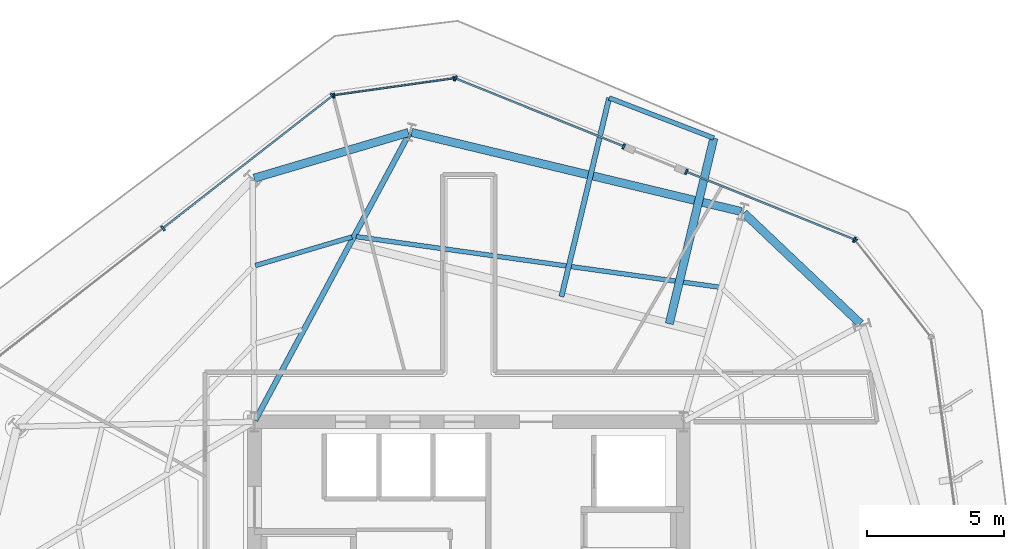
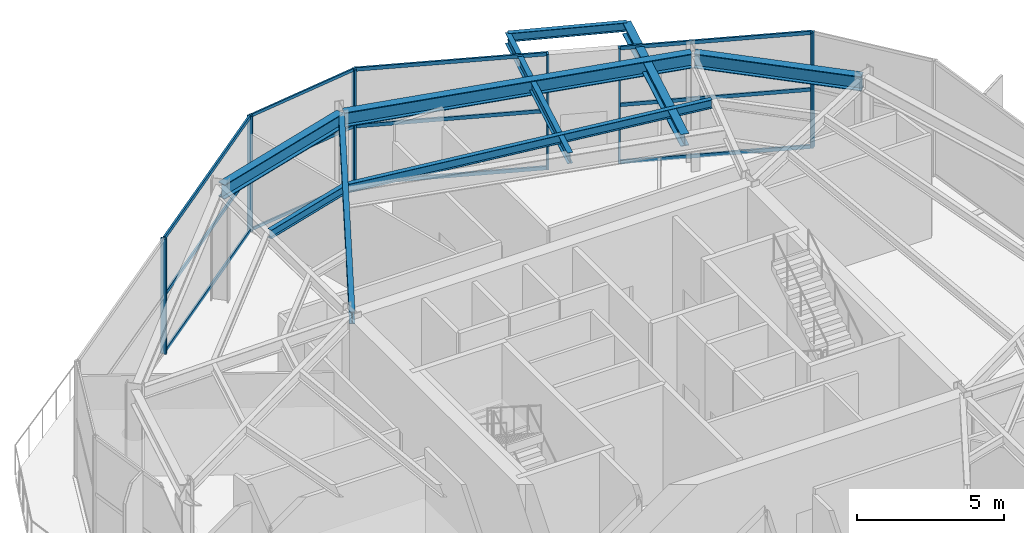
# One storey, part 7 of 14: 21 members, 9 beams, 5 elements without a shape of their own.
"""IFC4 building model written with IfcOpenShell, lengths in metres."""

import ifcopenshell
import ifcopenshell.guid

model = None  # the IFC model being written
_history = None  # IfcOwnerHistory: only IFC2X3 demands one
_inside = {}  # id of a spatial element -> (the spatial element, [elements in it])
_under = {}  # id of a project, library or spatial element -> (it, [spatial elements below it])
_declared = {}  # id of a project -> (the project, [libraries it declares])
_typed = {}  # id of a type object -> (the type object, [elements of that type])
_made_of = {}  # id of a material, layer set ... -> (it, [elements and type objects made of it])


def new_model(schema):
    """Start an empty IFC model of exactly this schema.

    Asked for "IFC4X3", IfcOpenShell would pick the latest addendum, in which some entities
    have other attributes; the version numbers below select the first issue.
    IFC2X3 requires an IfcOwnerHistory on every rooted entity: one is made here for all.
    """
    global model, _history
    if schema == "IFC4X3":
        model = ifcopenshell.file(schema_version=(4, 3, 0, 0))
    else:
        model = ifcopenshell.file(schema=schema)
    _inside.clear()
    _under.clear()
    _declared.clear()
    _typed.clear()
    _made_of.clear()
    _history = None
    if model.schema == "IFC2X3":
        org = make("IfcOrganization", Name="unknown")
        user = make(
            "IfcPersonAndOrganization",
            ThePerson=make("IfcPerson", FamilyName="unknown"),
            TheOrganization=org,
        )
        app = make(
            "IfcApplication",
            ApplicationDeveloper=org,
            Version="unknown",
            ApplicationFullName="unknown",
            ApplicationIdentifier="unknown",
        )
        _history = make(
            "IfcOwnerHistory",
            OwningUser=user,
            OwningApplication=app,
            ChangeAction="ADDED",
            CreationDate=0,
        )
    return model


def make(cls, **values):
    """One entity of the class cls with the attributes given. An attribute that is None is left unset."""
    return model.create_entity(
        cls, **{name: value for name, value in values.items() if value is not None}
    )


def rooted(cls, **values):
    """An entity with a GlobalId (a new one), such as an element, a storey or a relation."""
    return make(cls, GlobalId=ifcopenshell.guid.new(), OwnerHistory=_history, **values)


def si_unit(unit_type, name, prefix=None):
    """IfcSIUnit, for example si_unit("LENGTHUNIT", "METRE", prefix="MILLI")."""
    return make("IfcSIUnit", UnitType=unit_type, Prefix=prefix, Name=name)


def assignment(units):
    """IfcUnitAssignment: the units of a project."""
    return None if units is None else make("IfcUnitAssignment", Units=units)


def point(xyz):
    """IfcCartesianPoint."""
    return None if xyz is None else make("IfcCartesianPoint", Coordinates=xyz)


def direction(xyz):
    """IfcDirection."""
    return None if xyz is None else make("IfcDirection", DirectionRatios=xyz)


def frame(location, z_axis=None, x_axis=None):
    """IfcAxis2Placement3D, a coordinate frame: its origin and axes. An axis left out is left unset."""
    return make(
        "IfcAxis2Placement3D",
        Location=point(location),
        Axis=direction(z_axis),
        RefDirection=direction(x_axis),
    )


def frame_2d(location, x_axis=None):
    """IfcAxis2Placement2D, a coordinate frame in the plane: its origin and x axis."""
    return make(
        "IfcAxis2Placement2D", Location=point(location), RefDirection=direction(x_axis)
    )


def origin():
    """The frame at (0, 0, 0) with its axes left unset."""
    return frame((0.0, 0.0, 0.0))


def origin_2d():
    """The frame at (0, 0) in the plane with its x axis left unset."""
    return frame_2d((0.0, 0.0))


def place(relative_to, where):
    """IfcLocalPlacement: puts the frame where relative to a parent placement (None: the world)."""
    return make(
        "IfcLocalPlacement", PlacementRelTo=relative_to, RelativePlacement=where
    )


def context(
    kind, dimensions, precision=None, world=None, true_north=None, identifier=None
):
    """IfcGeometricRepresentationContext, for example the 3D "Model" context."""
    return make(
        "IfcGeometricRepresentationContext",
        ContextIdentifier=identifier,
        ContextType=kind,
        CoordinateSpaceDimension=dimensions,
        Precision=precision,
        WorldCoordinateSystem=world,
        TrueNorth=true_north,
    )


def subcontext(parent, identifier, kind, view, scale=None):
    """IfcGeometricRepresentationSubContext, for example "Body" below "Model"."""
    return make(
        "IfcGeometricRepresentationSubContext",
        ContextIdentifier=identifier,
        ContextType=kind,
        ParentContext=parent,
        TargetScale=scale,
        TargetView=view,
    )


def project(units=None, contexts=None):
    """IfcProject with its units and contexts."""
    return rooted(
        "IfcProject",
        Name="project",
        RepresentationContexts=contexts,
        UnitsInContext=assignment(units),
    )


def spatial(cls, under=None, at=None, **own):
    """A site, building, storey or space (cls), placed at a placement, below another one or the project."""
    s = rooted(cls, ObjectPlacement=at, **own)
    if under is not None:
        _under.setdefault(under.id(), (under, []))[1].append(s)
    return s


def profile(cls, at=None, kind="AREA", **sizes):
    """A parametric profile (cls). Its sizes go by their IFC names, for example OverallWidth=200.0."""
    return make(cls, ProfileType=kind, Position=at, **sizes)


def rectangle(**sizes):
    """IfcRectangleProfileDef."""
    return profile("IfcRectangleProfileDef", **sizes)


def i_section(**sizes):
    """IfcIShapeProfileDef."""
    return profile("IfcIShapeProfileDef", **sizes)


def extrude(swept, where, along, depth):
    """IfcExtrudedAreaSolid: the profile swept, set in the frame where, extruded along a direction by depth."""
    return make(
        "IfcExtrudedAreaSolid",
        SweptArea=swept,
        Position=where,
        ExtrudedDirection=direction(along),
        Depth=depth,
    )


def shape(context_of_items, identifier, shape_type, items):
    """IfcShapeRepresentation: the items that make up one representation, for example the "Body"."""
    return make(
        "IfcShapeRepresentation",
        ContextOfItems=context_of_items,
        RepresentationIdentifier=identifier,
        RepresentationType=shape_type,
        Items=items,
    )


def material(Name=None, Category=None):
    """IfcMaterial."""
    return make("IfcMaterial", Name=Name, Category=Category)


def layer(
    of_material, thickness, ventilated=None, Name=None, Category=None, Priority=None
):
    """IfcMaterialLayer: one layer of a wall or slab, of a material (None: an air gap)."""
    return make(
        "IfcMaterialLayer",
        Material=of_material,
        LayerThickness=thickness,
        IsVentilated=ventilated,
        Name=Name,
        Category=Category,
        Priority=Priority,
    )


def layer_set(layers, Name=None):
    """IfcMaterialLayerSet."""
    return make("IfcMaterialLayerSet", MaterialLayers=layers, LayerSetName=Name)


def material_profile(
    of_material, cross_section, Name=None, Category=None, Priority=None
):
    """IfcMaterialProfile: a cross section and its material."""
    return make(
        "IfcMaterialProfile",
        Name=Name,
        Material=of_material,
        Profile=cross_section,
        Priority=Priority,
        Category=Category,
    )


def profile_set(profiles, Name=None, composite=None):
    """IfcMaterialProfileSet."""
    return make(
        "IfcMaterialProfileSet",
        Name=Name,
        MaterialProfiles=profiles,
        CompositeProfile=composite,
    )


def made_of(thing, what):
    """Note that an element or type object is made of a material, layer set ...; save() writes the relation."""
    if what is not None:
        _made_of.setdefault(what.id(), (what, []))[1].append(thing)
    return thing


def type_object(cls, material=None, **own):
    """A type object (cls), such as IfcWallType, which elements share."""
    return made_of(rooted(cls, **own), material)


def element(
    cls,
    number,
    at=None,
    inside=None,
    cuts=None,
    type_object=None,
    material=None,
    context=None,
    identifier="Body",
    shape_type=None,
    held_by="IfcProductDefinitionShape",
    body=None,
    shapes=None,
    **own,
):
    """One element of the class cls, such as IfcWall. Its Tag is "e" and its number.

    at: its placement. inside: the storey or other place that contains it. cuts: it is an
    opening in that element (IfcRelVoidsElement). A single representation is given by context,
    identifier, shape_type and body (its items); several are given by shapes. held_by: the class
    of the entity that holds the representations. save() writes the other relations.
    """
    e = rooted(cls, Tag="e%d" % number, ObjectPlacement=at, **own)
    if body is not None:
        shapes = [shape(context, identifier, shape_type, body)]
    if shapes is not None:
        e.Representation = make(held_by, Representations=shapes)
    if inside is not None:
        _inside.setdefault(inside.id(), (inside, []))[1].append(e)
    if cuts is not None:
        rooted(
            "IfcRelVoidsElement", RelatingBuildingElement=cuts, RelatedOpeningElement=e
        )
    if type_object is not None:
        _typed.setdefault(type_object.id(), (type_object, []))[1].append(e)
    return made_of(e, material)


def aggregate(whole, parts):
    """IfcRelAggregates: a whole, such as a stair, and the parts it consists of."""
    return rooted("IfcRelAggregates", RelatingObject=whole, RelatedObjects=parts)


def save(model, path):
    """Write the relations noted so far, then the file.

    IfcRelAggregates (storeys below a building ...), IfcRelContainedInSpatialStructure (elements
    in a storey), IfcRelDefinesByType, IfcRelAssociatesMaterial and IfcRelDeclares: one each for
    every whole, place, type object, material and project.
    """
    for whole, parts in _under.values():
        aggregate(whole, parts)
    for where, things in _inside.values():
        rooted(
            "IfcRelContainedInSpatialStructure",
            RelatedElements=things,
            RelatingStructure=where,
        )
    for kind, things in _typed.values():
        rooted("IfcRelDefinesByType", RelatedObjects=things, RelatingType=kind)
    for what, things in _made_of.values():
        rooted("IfcRelAssociatesMaterial", RelatedObjects=things, RelatingMaterial=what)
    for by, libraries in _declared.values():
        rooted("IfcRelDeclares", RelatingContext=by, RelatedDefinitions=libraries)
    model.write(path)


model = new_model("IFC4")

# Units and contexts
model_context = context("Model", 3, precision=1e-05, world=origin(), true_north=direction((0.0, 1.0)))
body_context = subcontext(model_context, "Body", "Model", "MODEL_VIEW")
ifc_project = project(units=[si_unit("LENGTHUNIT", "METRE"), si_unit("AREAUNIT", "SQUARE_METRE"), si_unit("VOLUMEUNIT", "CUBIC_METRE"), si_unit("PLANEANGLEUNIT", "RADIAN"), si_unit("MASSUNIT", "GRAM", prefix="KILO")], contexts=[model_context])

# Site, building, storey
site_placement = place(None, origin())
site = spatial("IfcSite", under=ifc_project, at=site_placement, CompositionType="ELEMENT")
building_placement = place(site_placement, origin())
building = spatial("IfcBuilding", under=site, at=building_placement, Name="Kranzbogen Civic Tower", CompositionType="ELEMENT")
storey_placement = place(building_placement, frame((0.0, 0.0, 175.800048828125)))
storey = spatial("IfcBuildingStorey", under=building, at=storey_placement, Name="L42", CompositionType="ELEMENT", Elevation=175.800048828125)

# Beam
ifc_material_1 = material(Name="Steel S355", Category="steel")
ifc_material_profile_1 = material_profile(ifc_material_1, i_section(OverallWidth=0.18994140625, OverallDepth=0.449951171875, WebThickness=0.009521484375, FlangeThickness=0.0146484375, at=origin_2d()), Name="IPE 450")
ifc_profile_set_1 = profile_set([ifc_material_profile_1], Name="Steel S355")
beam_type_1 = type_object("IfcBeamType", Name="Braced Terrace Edge Beam IPE 450", PredefinedType="BEAM", material=ifc_profile_set_1)
beam_1_placement = place(storey_placement, frame((28.366943359375, 36.7529296875, 4.52490234375), z_axis=(0.233391583111, 0.972382830439, 0.0), x_axis=(-0.972382830439, 0.233391583111, 0.0)))
element("IfcBeam", 1, at=beam_1_placement, inside=storey, type_object=beam_type_1, Name="L43 back-spanned terrace beam L43-TB1-2", PredefinedType="BEAM", context=body_context, shape_type="SweptSolid", body=[
    extrude(i_section(OverallWidth=0.18994140625, OverallDepth=0.449951171875, WebThickness=0.009521484375, FlangeThickness=0.0146484375, at=origin_2d()), origin(), (0.0, 0.0, 1.0), 7.434326171875),
])

# Curtain wall, members
ifc_material_2 = material(Name="Pale Anodised Aluminium", Category="aluminium")
ifc_layer_1 = layer(ifc_material_2, 0.219970703125, Name="Pale Anodised Aluminium")
ifc_layer_set_1 = layer_set([ifc_layer_1], Name="Pale Anodised Aluminium")
curtain_wall_type_1 = type_object("IfcCurtainWallType", Name="Chamfer Facet Stick Curtain Wall System CW-06", PredefinedType="USERDEFINED", material=ifc_layer_set_1)
curtain_wall_1_placement = place(storey_placement, origin())
curtain_wall_1 = element("IfcCurtainWall", 2, at=curtain_wall_1_placement, inside=storey, type_object=curtain_wall_type_1, Name="L42 curtain wall CW-L42-C1", ObjectType="STICK CURTAIN WALL", PredefinedType="USERDEFINED")
ifc_material_profile_2 = material_profile(ifc_material_2, rectangle(XDim=0.06005859375, YDim=0.159912109375, at=origin_2d()), Name="ALU-M 60x160")
ifc_profile_set_2 = profile_set([ifc_material_profile_2], Name="Pale Anodised Aluminium")
member_type_1 = type_object("IfcMemberType", Name="Curtain Wall Mullion ALU-M 60x160", PredefinedType="MULLION", material=ifc_profile_set_2)
member_1_placement = place(storey_placement, frame((24.458251953125, 44.69384765625, 0.0), z_axis=(0.0, 0.0, 1.0), x_axis=(-0.990233903611, -0.139415982364, 0.0)))
member_1 = element("IfcMember", 3, at=member_1_placement, type_object=member_type_1, Name="CW-06 mullion 1", PredefinedType="MULLION", context=body_context, shape_type="SweptSolid", body=[
    extrude(rectangle(XDim=0.06005859375, YDim=0.159912109375, at=origin_2d()), origin(), (0.0, 0.0, 1.0), 4.780029296875),
])
member_2_placement = place(storey_placement, frame((20.0927734375, 44.0791015625, 0.0), z_axis=(0.0, 0.0, 1.0), x_axis=(-0.990233903611, -0.139415982364, 0.0)))
member_2 = element("IfcMember", 4, at=member_2_placement, type_object=member_type_1, Name="CW-06 mullion 2", PredefinedType="MULLION", context=body_context, shape_type="SweptSolid", body=[
    extrude(rectangle(XDim=0.06005859375, YDim=0.159912109375, at=origin_2d()), origin(), (0.0, 0.0, 1.0), 4.780029296875),
])

# Curtain wall, member
curtain_wall_2_placement = place(storey_placement, origin())
curtain_wall_2 = element("IfcCurtainWall", 5, at=curtain_wall_2_placement, inside=storey, type_object=curtain_wall_type_1, Name="L42 curtain wall CW-L42-C6", ObjectType="STICK CURTAIN WALL", PredefinedType="USERDEFINED")
member_3_placement = place(storey_placement, frame((39.070556640625, 38.790283203125, 0.0), z_axis=(0.0, 0.0, 1.0), x_axis=(-0.615674442522, 0.78800062235, 0.0)))
member_3 = element("IfcMember", 6, at=member_3_placement, type_object=member_type_1, Name="CW-06 mullion 2", PredefinedType="MULLION", context=body_context, shape_type="SweptSolid", body=[
    extrude(rectangle(XDim=0.06005859375, YDim=0.159912109375, at=origin_2d()), origin(), (0.0, 0.0, 1.0), 4.780029296875),
])
aggregate(curtain_wall_2, [member_3])

# Curtain wall, members
ifc_layer_2 = layer(ifc_material_2, 0.219970703125, Name="Pale Anodised Aluminium")
ifc_layer_set_2 = layer_set([ifc_layer_2], Name="Pale Anodised Aluminium")
curtain_wall_type_2 = type_object("IfcCurtainWallType", Name="Zone 3 Stick Curtain Wall System CW-04", PredefinedType="USERDEFINED", material=ifc_layer_set_2)
curtain_wall_3_placement = place(storey_placement, origin())
curtain_wall_3 = element("IfcCurtainWall", 7, at=curtain_wall_3_placement, inside=storey, type_object=curtain_wall_type_2, Name="L42 curtain wall CW-L42-F1-S1", ObjectType="STICK CURTAIN WALL", PredefinedType="USERDEFINED")
ifc_material_profile_3 = material_profile(ifc_material_2, rectangle(XDim=0.070068359375, YDim=0.199951171875, at=origin_2d()), Name="ALU-M 70x200")
ifc_profile_set_3 = profile_set([ifc_material_profile_3], Name="Pale Anodised Aluminium")
member_type_2 = type_object("IfcMemberType", Name="Curtain Wall Mullion ALU-M 70x200", PredefinedType="MULLION", material=ifc_profile_set_3)
member_4_placement = place(storey_placement, frame((39.024169921875, 38.8251953125, 0.0), z_axis=(0.0, 0.0, 1.0), x_axis=(-0.927206707044, 0.374550026583, 0.0)))
member_4 = element("IfcMember", 8, at=member_4_placement, type_object=member_type_2, Name="CW-04 mullion 1", PredefinedType="MULLION", context=body_context, shape_type="SweptSolid", body=[
    extrude(rectangle(XDim=0.070068359375, YDim=0.199951171875, at=origin_2d()), origin(), (0.0, 0.0, 1.0), 4.780029296875),
])
member_5_placement = place(storey_placement, frame((32.910888671875, 41.294677734375, 0.0), z_axis=(0.0, 0.0, 1.0), x_axis=(-0.927206707044, 0.374550026583, 0.0)))
member_5 = element("IfcMember", 9, at=member_5_placement, type_object=member_type_2, Name="CW-04 mullion 2", PredefinedType="MULLION", context=body_context, shape_type="SweptSolid", body=[
    extrude(rectangle(XDim=0.070068359375, YDim=0.199951171875, at=origin_2d()), origin(), (0.0, 0.0, 1.0), 4.780029296875),
])

curtain_wall_4_placement = place(storey_placement, origin())
curtain_wall_4 = element("IfcCurtainWall", 10, at=curtain_wall_4_placement, inside=storey, type_object=curtain_wall_type_2, Name="L42 curtain wall CW-L42-F1-S2", ObjectType="STICK CURTAIN WALL", PredefinedType="USERDEFINED")
member_6_placement = place(storey_placement, frame((30.630126953125, 42.21630859375, 0.0), z_axis=(0.0, 0.0, 1.0), x_axis=(-0.927175597999, 0.37462702849, 0.0)))
member_6 = element("IfcMember", 11, at=member_6_placement, type_object=member_type_2, Name="CW-04 mullion 1", PredefinedType="MULLION", context=body_context, shape_type="SweptSolid", body=[
    extrude(rectangle(XDim=0.070068359375, YDim=0.199951171875, at=origin_2d()), origin(), (0.0, 0.0, 1.0), 4.780029296875),
])
member_7_placement = place(storey_placement, frame((24.515869140625, 44.686767578125, 0.0), z_axis=(0.0, 0.0, 1.0), x_axis=(-0.927175597999, 0.37462702849, 0.0)))
member_7 = element("IfcMember", 12, at=member_7_placement, type_object=member_type_2, Name="CW-04 mullion 2", PredefinedType="MULLION", context=body_context, shape_type="SweptSolid", body=[
    extrude(rectangle(XDim=0.070068359375, YDim=0.199951171875, at=origin_2d()), origin(), (0.0, 0.0, 1.0), 4.780029296875),
])

curtain_wall_5_placement = place(storey_placement, origin())
curtain_wall_5 = element("IfcCurtainWall", 13, at=curtain_wall_5_placement, inside=storey, type_object=curtain_wall_type_2, Name="L42 curtain wall CW-L42-F2", ObjectType="STICK CURTAIN WALL", PredefinedType="USERDEFINED")
member_8_placement = place(storey_placement, frame((20.039306640625, 44.056640625, 0.0), z_axis=(0.0, 0.0, 1.0), x_axis=(-0.788034025548, -0.615631687439, 0.0)))
member_8 = element("IfcMember", 14, at=member_8_placement, type_object=member_type_2, Name="CW-04 mullion 1", PredefinedType="MULLION", context=body_context, shape_type="SweptSolid", body=[
    extrude(rectangle(XDim=0.070068359375, YDim=0.199951171875, at=origin_2d()), origin(), (0.0, 0.0, 1.0), 4.780029296875),
])
member_9_placement = place(storey_placement, frame((13.8740234375, 39.239990234375, 0.0), z_axis=(0.0, 0.0, 1.0), x_axis=(-0.788034025548, -0.615631687439, 0.0)))
member_9 = element("IfcMember", 15, at=member_9_placement, type_object=member_type_2, Name="CW-04 mullion 2", PredefinedType="MULLION", context=body_context, shape_type="SweptSolid", body=[
    extrude(rectangle(XDim=0.070068359375, YDim=0.199951171875, at=origin_2d()), origin(), (0.0, 0.0, 1.0), 4.780029296875),
])

# Member
ifc_material_profile_4 = material_profile(ifc_material_2, rectangle(XDim=0.06005859375, YDim=0.1201171875, at=origin_2d()), Name="ALU-T 60x120")
ifc_profile_set_4 = profile_set([ifc_material_profile_4], Name="Pale Anodised Aluminium")
member_type_3 = type_object("IfcMemberType", Name="Curtain Wall Transom ALU-T 60x120", PredefinedType="USERDEFINED", material=ifc_profile_set_4)
member_10_placement = place(storey_placement, frame((24.428466796875, 44.689697265625, 0.030029296875), z_axis=(-0.990228252291, -0.139456116266, 0.0), x_axis=(0.139456116266, -0.990228252291, 0.0)))
member_10 = element("IfcMember", 16, at=member_10_placement, type_object=member_type_3, Name="CW-06 transom 1.1", ObjectType="TRANSOM", PredefinedType="USERDEFINED", context=body_context, shape_type="SweptSolid", body=[
    extrude(rectangle(XDim=0.06005859375, YDim=0.1201171875, at=origin_2d()), origin(), (0.0, 0.0, 1.0), 4.3486328125),
])

member_11_placement = place(storey_placement, frame((24.428466796875, 44.689697265625, 2.39990234375), z_axis=(-0.990228252291, -0.139456116266, 0.0), x_axis=(0.139456116266, -0.990228252291, 0.0)))
member_11 = element("IfcMember", 17, at=member_11_placement, type_object=member_type_3, Name="CW-06 transom 1.2", ObjectType="TRANSOM", PredefinedType="USERDEFINED", context=body_context, shape_type="SweptSolid", body=[
    extrude(rectangle(XDim=0.06005859375, YDim=0.1201171875, at=origin_2d()), origin(), (0.0, 0.0, 1.0), 4.3486328125),
])

member_12_placement = place(storey_placement, frame((24.428466796875, 44.689697265625, 4.75), z_axis=(-0.990228252291, -0.139456116266, 0.0), x_axis=(0.139456116266, -0.990228252291, 0.0)))
member_12 = element("IfcMember", 18, at=member_12_placement, type_object=member_type_3, Name="CW-06 transom 1.3", ObjectType="TRANSOM", PredefinedType="USERDEFINED", context=body_context, shape_type="SweptSolid", body=[
    extrude(rectangle(XDim=0.06005859375, YDim=0.1201171875, at=origin_2d()), origin(), (0.0, 0.0, 1.0), 4.3486328125),
])

aggregate(curtain_wall_1, [member_1, member_2, member_10, member_11, member_12])

ifc_material_profile_5 = material_profile(ifc_material_2, rectangle(XDim=0.070068359375, YDim=0.14990234375, at=origin_2d()), Name="ALU-T 70x150")
ifc_profile_set_5 = profile_set([ifc_material_profile_5], Name="Pale Anodised Aluminium")
member_type_4 = type_object("IfcMemberType", Name="Curtain Wall Transom ALU-T 70x150", PredefinedType="USERDEFINED", material=ifc_profile_set_5)
member_13_placement = place(storey_placement, frame((38.996337890625, 38.83642578125, 0.030029296875), z_axis=(-0.927205901322, 0.374552021157, 0.0), x_axis=(-0.374552021157, -0.927205901322, 0.0)))
member_13 = element("IfcMember", 19, at=member_13_placement, type_object=member_type_4, Name="CW-04 transom 1.1", ObjectType="TRANSOM", PredefinedType="USERDEFINED", context=body_context, shape_type="SweptSolid", body=[
    extrude(rectangle(XDim=0.070068359375, YDim=0.14990234375, at=origin_2d()), origin(), (0.0, 0.0, 1.0), 6.533203125),
])

member_14_placement = place(storey_placement, frame((38.996337890625, 38.83642578125, 2.39990234375), z_axis=(-0.927205901322, 0.374552021157, 0.0), x_axis=(-0.374552021157, -0.927205901322, 0.0)))
member_14 = element("IfcMember", 20, at=member_14_placement, type_object=member_type_4, Name="CW-04 transom 1.2", ObjectType="TRANSOM", PredefinedType="USERDEFINED", context=body_context, shape_type="SweptSolid", body=[
    extrude(rectangle(XDim=0.070068359375, YDim=0.14990234375, at=origin_2d()), origin(), (0.0, 0.0, 1.0), 6.533203125),
])

member_15_placement = place(storey_placement, frame((38.996337890625, 38.83642578125, 4.75), z_axis=(-0.927205901322, 0.374552021157, 0.0), x_axis=(-0.374552021157, -0.927205901322, 0.0)))
member_15 = element("IfcMember", 21, at=member_15_placement, type_object=member_type_4, Name="CW-04 transom 1.3", ObjectType="TRANSOM", PredefinedType="USERDEFINED", context=body_context, shape_type="SweptSolid", body=[
    extrude(rectangle(XDim=0.070068359375, YDim=0.14990234375, at=origin_2d()), origin(), (0.0, 0.0, 1.0), 6.533203125),
])

aggregate(curtain_wall_3, [member_4, member_5, member_13, member_14, member_15])

member_16_placement = place(storey_placement, frame((30.602294921875, 42.2275390625, 0.030029296875), z_axis=(-0.927174962793, 0.374628600577, 0.0), x_axis=(-0.374628600577, -0.927174962793, 0.0)))
member_16 = element("IfcMember", 22, at=member_16_placement, type_object=member_type_4, Name="CW-04 transom 1.1", ObjectType="TRANSOM", PredefinedType="USERDEFINED", context=body_context, shape_type="SweptSolid", body=[
    extrude(rectangle(XDim=0.070068359375, YDim=0.14990234375, at=origin_2d()), origin(), (0.0, 0.0, 1.0), 6.534423828125),
])

member_17_placement = place(storey_placement, frame((30.602294921875, 42.2275390625, 2.39990234375), z_axis=(-0.927174962793, 0.374628600577, 0.0), x_axis=(-0.374628600577, -0.927174962793, 0.0)))
member_17 = element("IfcMember", 23, at=member_17_placement, type_object=member_type_4, Name="CW-04 transom 1.2", ObjectType="TRANSOM", PredefinedType="USERDEFINED", context=body_context, shape_type="SweptSolid", body=[
    extrude(rectangle(XDim=0.070068359375, YDim=0.14990234375, at=origin_2d()), origin(), (0.0, 0.0, 1.0), 6.534423828125),
])

member_18_placement = place(storey_placement, frame((30.602294921875, 42.2275390625, 4.75), z_axis=(-0.927174962793, 0.374628600577, 0.0), x_axis=(-0.374628600577, -0.927174962793, 0.0)))
member_18 = element("IfcMember", 24, at=member_18_placement, type_object=member_type_4, Name="CW-04 transom 1.3", ObjectType="TRANSOM", PredefinedType="USERDEFINED", context=body_context, shape_type="SweptSolid", body=[
    extrude(rectangle(XDim=0.070068359375, YDim=0.14990234375, at=origin_2d()), origin(), (0.0, 0.0, 1.0), 6.534423828125),
])

aggregate(curtain_wall_4, [member_6, member_7, member_16, member_17, member_18])

member_19_placement = place(storey_placement, frame((20.015625, 44.0380859375, 0.030029296875), z_axis=(-0.788029618036, -0.615637329195, 0.0), x_axis=(0.615637329195, -0.788029618036, 0.0)))
member_19 = element("IfcMember", 25, at=member_19_placement, type_object=member_type_4, Name="CW-04 transom 1.1", ObjectType="TRANSOM", PredefinedType="USERDEFINED", context=body_context, shape_type="SweptSolid", body=[
    extrude(rectangle(XDim=0.070068359375, YDim=0.14990234375, at=origin_2d()), origin(), (0.0, 0.0, 1.0), 7.763671875),
])

member_20_placement = place(storey_placement, frame((20.015625, 44.0380859375, 2.39990234375), z_axis=(-0.788029618036, -0.615637329195, 0.0), x_axis=(0.615637329195, -0.788029618036, 0.0)))
member_20 = element("IfcMember", 26, at=member_20_placement, type_object=member_type_4, Name="CW-04 transom 1.2", ObjectType="TRANSOM", PredefinedType="USERDEFINED", context=body_context, shape_type="SweptSolid", body=[
    extrude(rectangle(XDim=0.070068359375, YDim=0.14990234375, at=origin_2d()), origin(), (0.0, 0.0, 1.0), 7.763671875),
])

member_21_placement = place(storey_placement, frame((20.015625, 44.0380859375, 4.75), z_axis=(-0.788029618036, -0.615637329195, 0.0), x_axis=(0.615637329195, -0.788029618036, 0.0)))
member_21 = element("IfcMember", 27, at=member_21_placement, type_object=member_type_4, Name="CW-04 transom 1.3", ObjectType="TRANSOM", PredefinedType="USERDEFINED", context=body_context, shape_type="SweptSolid", body=[
    extrude(rectangle(XDim=0.070068359375, YDim=0.14990234375, at=origin_2d()), origin(), (0.0, 0.0, 1.0), 7.763671875),
])

aggregate(curtain_wall_5, [member_8, member_9, member_19, member_20, member_21])

# Beams
ifc_material_profile_6 = material_profile(ifc_material_1, i_section(OverallWidth=0.300048828125, OverallDepth=0.5, WebThickness=0.014404296875, FlangeThickness=0.028076171875, at=origin_2d()), Name="HEB 500")
ifc_profile_set_6 = profile_set([ifc_material_profile_6], Name="Steel S355")
beam_type_2 = type_object("IfcBeamType", Name="Perimeter Tube Spandrel Beam HEB 500", PredefinedType="SPANDREL", material=ifc_profile_set_6)
beam_2_placement = place(storey_placement, frame((32.2900390625, 35.76611328125, 4.5), z_axis=(0.233360987625, 0.972390173467, 0.0), x_axis=(-0.972390173467, 0.233360987625, 0.0)))
element("IfcBeam", 28, at=beam_2_placement, inside=storey, type_object=beam_type_2, Name="L43 back-spanned terrace beam L43-TB1-1", PredefinedType="SPANDREL", context=body_context, shape_type="SweptSolid", body=[
    extrude(i_section(OverallWidth=0.300048828125, OverallDepth=0.5, WebThickness=0.014404296875, FlangeThickness=0.028076171875, at=origin_2d()), origin(), (0.0, 0.0, 1.0), 6.945556640625),
])
ifc_material_profile_7 = material_profile(ifc_material_1, i_section(OverallWidth=0.300048828125, OverallDepth=0.60009765625, WebThickness=0.015380859375, FlangeThickness=0.030029296875, at=origin_2d()), Name="HEB 600")
ifc_profile_set_7 = profile_set([ifc_material_profile_7], Name="Steel S355")
beam_type_3 = type_object("IfcBeamType", Name="Perimeter Tube Spandrel Beam HEB 600", PredefinedType="SPANDREL", material=ifc_profile_set_7)
beam_3_placement = place(storey_placement, frame((39.2490234375, 35.764892578125, 4.47998046875), z_axis=(-0.725245206788, 0.688490660816, 0.0), x_axis=(-0.688490660816, -0.725245206788, 0.0)))
element("IfcBeam", 29, at=beam_3_placement, inside=storey, type_object=beam_type_3, Name="L42 perimeter spandrel beam 07", PredefinedType="SPANDREL", context=body_context, shape_type="SweptSolid", body=[
    extrude(i_section(OverallWidth=0.300048828125, OverallDepth=0.60009765625, WebThickness=0.015380859375, FlangeThickness=0.030029296875, at=origin_2d()), origin(), (0.0, 0.0, 1.0), 5.85205078125),
])
beam_4_placement = place(storey_placement, frame((34.903076171875, 39.84912109375, 4.47998046875), z_axis=(-0.972377592092, 0.233413406637, 0.0), x_axis=(-0.233413406637, -0.972377592092, 0.0)))
element("IfcBeam", 30, at=beam_4_placement, inside=storey, type_object=beam_type_3, Name="L42 perimeter spandrel beam 08", PredefinedType="SPANDREL", context=body_context, shape_type="SweptSolid", body=[
    extrude(i_section(OverallWidth=0.300048828125, OverallDepth=0.60009765625, WebThickness=0.015380859375, FlangeThickness=0.030029296875, at=origin_2d()), origin(), (0.0, 0.0, 1.0), 12.32568359375),
])
beam_5_placement = place(storey_placement, frame((22.802001953125, 42.722900390625, 4.47998046875), z_axis=(-0.9588296723, -0.283981794341, 0.0), x_axis=(0.283981794341, -0.9588296723, 0.0)))
element("IfcBeam", 31, at=beam_5_placement, inside=storey, type_object=beam_type_3, Name="L42 perimeter spandrel beam 09", PredefinedType="SPANDREL", context=body_context, shape_type="SweptSolid", body=[
    extrude(i_section(OverallWidth=0.300048828125, OverallDepth=0.60009765625, WebThickness=0.015380859375, FlangeThickness=0.030029296875, at=origin_2d()), origin(), (0.0, 0.0, 1.0), 5.85205078125),
])
ifc_material_profile_8 = material_profile(ifc_material_1, i_section(OverallWidth=0.199951171875, OverallDepth=0.5, WebThickness=0.01025390625, FlangeThickness=0.01611328125, at=origin_2d()), Name="IPE 500")
ifc_profile_set_8 = profile_set([ifc_material_profile_8], Name="Steel S355")
beam_type_4 = type_object("IfcBeamType", Name="Radial Tower Floor Girder IPE 500", PredefinedType="BEAM", material=ifc_profile_set_8)
beam_6_placement = place(storey_placement, frame((22.83203125, 42.68701171875, 4.530029296875), z_axis=(-0.473160413549, -0.880976289721, 0.0), x_axis=(0.880976289721, -0.473160413549, 0.0)))
element("IfcBeam", 32, at=beam_6_placement, inside=storey, type_object=beam_type_4, Name="L42 radial floor girder 09", PredefinedType="BEAM", context=body_context, shape_type="SweptSolid", body=[
    extrude(i_section(OverallWidth=0.199951171875, OverallDepth=0.5, WebThickness=0.01025390625, FlangeThickness=0.01611328125, at=origin_2d()), origin(), (0.0, 0.0, 1.0), 11.84375),
])
ifc_material_profile_9 = material_profile(ifc_material_1, i_section(OverallWidth=0.169921875, OverallDepth=0.360107421875, WebThickness=0.008056640625, FlangeThickness=0.0126953125, at=origin_2d()), Name="IPE 360")
ifc_profile_set_9 = profile_set([ifc_material_profile_9], Name="Steel S355")
beam_type_5 = type_object("IfcBeamType", Name="Secondary Composite Floor Joist IPE 360", PredefinedType="JOIST", material=ifc_profile_set_9)
beam_7_placement = place(storey_placement, frame((34.10400390625, 37.096923828125, 4.599853515625), z_axis=(-0.990445837232, 0.137902296968, 0.0), x_axis=(-0.137902296968, -0.990445837232, 0.0)))
element("IfcBeam", 33, at=beam_7_placement, inside=storey, type_object=beam_type_5, Name="L42 secondary floor joist 1.08", PredefinedType="JOIST", context=body_context, shape_type="SweptSolid", body=[
    extrude(i_section(OverallWidth=0.169921875, OverallDepth=0.360107421875, WebThickness=0.008056640625, FlangeThickness=0.0126953125, at=origin_2d()), origin(), (0.0, 0.0, 1.0), 13.329345703125),
])
beam_8_placement = place(storey_placement, frame((20.74609375, 38.923095703125, 4.599853515625), z_axis=(-0.958843823165, -0.283934011309, 0.0), x_axis=(0.283934011309, -0.958843823165, 0.0)))
element("IfcBeam", 34, at=beam_8_placement, inside=storey, type_object=beam_type_5, Name="L42 secondary floor joist 1.09", PredefinedType="JOIST", context=body_context, shape_type="SweptSolid", body=[
    extrude(i_section(OverallWidth=0.169921875, OverallDepth=0.360107421875, WebThickness=0.008056640625, FlangeThickness=0.0126953125, at=origin_2d()), origin(), (0.0, 0.0, 1.0), 3.662841796875),
])
beam_9_placement = place(storey_placement, frame((33.910888671875, 42.52001953125, 4.570068359375), z_axis=(-0.933593696006, 0.358333379379, 0.0), x_axis=(-0.358333379379, -0.933593696006, 0.0)))
element("IfcBeam", 35, at=beam_9_placement, inside=storey, type_object=beam_type_5, Name="L43 terrace outer edge trimmer L43-TB1", PredefinedType="JOIST", context=body_context, shape_type="SweptSolid", body=[
    extrude(i_section(OverallWidth=0.169921875, OverallDepth=0.360107421875, WebThickness=0.008056640625, FlangeThickness=0.0126953125, at=origin_2d()), origin(), (0.0, 0.0, 1.0), 4.079833984375),
])

save(model, "model.ifc")
